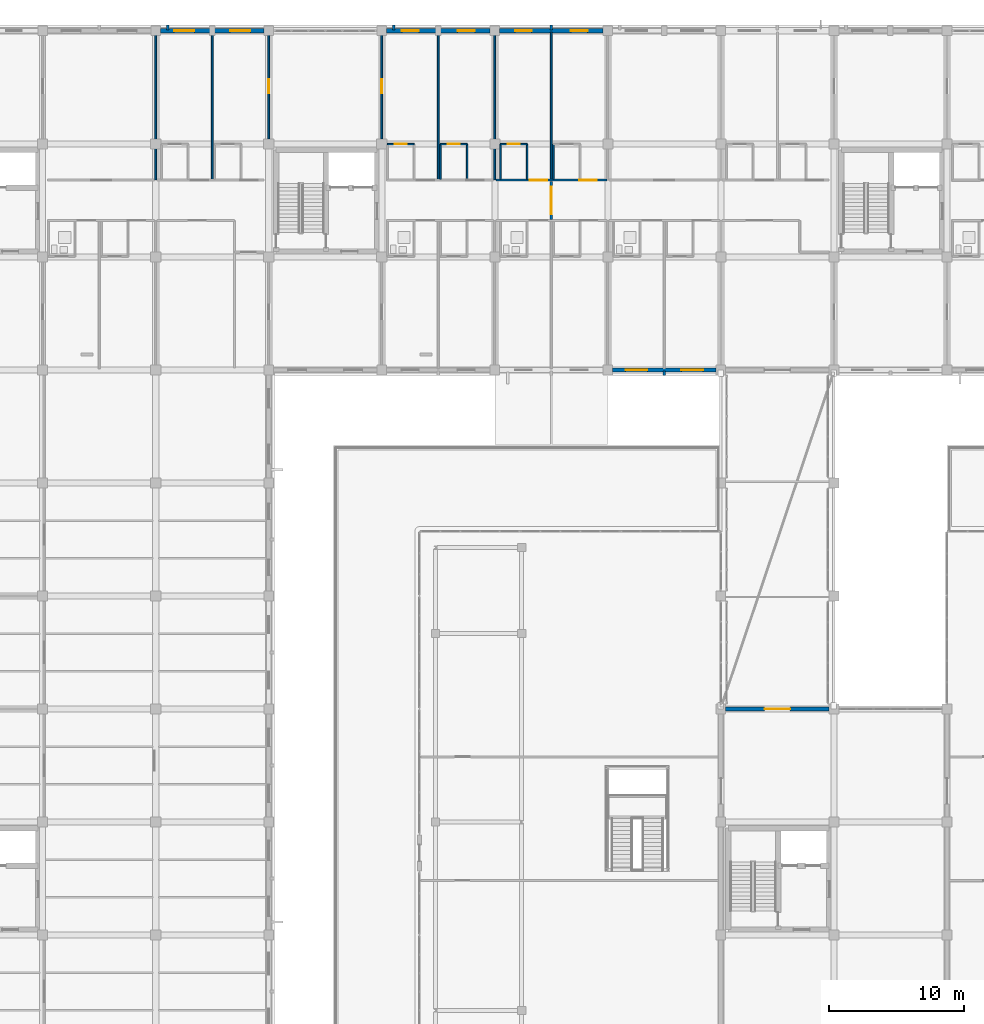
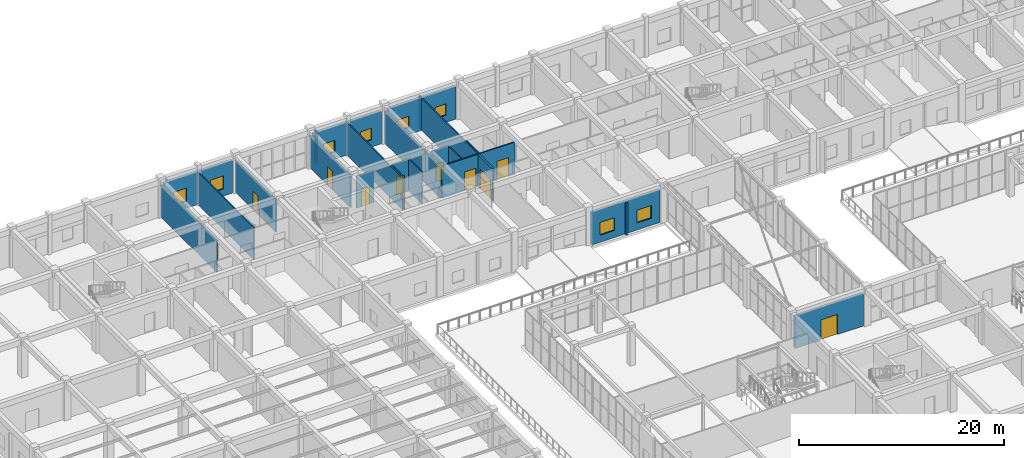
# One storey, part 129 of 158: 26 walls, 9 doors, 8 windows, 17 openings.
"""IFC4 building model written with IfcOpenShell, lengths in metres."""

from ifc_helpers import new_model, si_unit, direction, frame, frame_2d, origin, place, context, subcontext, project, spatial, rectangle, extrude, material, layer, layer_set, type_object, element, fill, save


model = new_model("IFC4")

# Units and contexts
model_context = context("Model", 3, precision=1e-05, world=origin(), true_north=direction((0.0, 1.0)))
body_context = subcontext(model_context, "Body", "Model", "MODEL_VIEW")
ifc_project = project(units=[si_unit("LENGTHUNIT", "METRE"), si_unit("AREAUNIT", "SQUARE_METRE"), si_unit("VOLUMEUNIT", "CUBIC_METRE"), si_unit("PLANEANGLEUNIT", "RADIAN"), si_unit("MASSUNIT", "GRAM", prefix="KILO")], contexts=[model_context])

# Site, building, storey
site_placement = place(None, origin())
site = spatial("IfcSite", under=ifc_project, at=site_placement, CompositionType="ELEMENT")
building_placement = place(site_placement, origin())
building = spatial("IfcBuilding", under=site, at=building_placement, Name="Trelvath General Hospital", CompositionType="ELEMENT")
storey_placement = place(building_placement, frame((0.0, 0.0, 8.10009765625)))
storey = spatial("IfcBuildingStorey", under=building, at=storey_placement, Name="L02", CompositionType="ELEMENT", Elevation=8.10009765625)

# Walls
ifc_material_1 = material(Name="Precast concrete C40/50", Category="concrete")
ifc_layer_1 = layer(ifc_material_1, 0.199951171875)
ifc_layer_set_1 = layer_set([ifc_layer_1], Name="Precast concrete C40/50")
wall_type_1 = type_object("IfcWallType", Name="BriseSoleilRib 200", PredefinedType="ELEMENTEDWALL", material=ifc_layer_set_1)
for number, where, z_axis, x_axis, name in (
    (1, (34.493408203125, 117.675048828125, 0.0), (0.0, 0.0, 1.0), (0.0, 1.0, 0.0), "Precast Concrete Brise-Soleil Rib Fin L02-186"),
    (2, (51.293212890625, 117.675048828125, 0.0), (0.0, 0.0, 1.0), (0.0, 1.0, 0.0), "Precast Concrete Brise-Soleil Rib Fin L02-190"),
    (3, (63.0, 117.675048828125, 0.0), (0.0, 0.0, 1.0), (0.0, 1.0, 0.0), "Precast Concrete Brise-Soleil Rib Fin L02-194"),
    (4, (71.39990234375, 92.324951171875, 0.0), (0.0, 0.0, 1.0), (0.0, -1.0, 0.0), "Precast Concrete Brise-Soleil Rib Fin L02-197"),
):
    element("IfcWall", number, at=place(storey_placement, frame(where, z_axis=z_axis, x_axis=x_axis)), inside=storey, type_object=wall_type_1, Name=name, PredefinedType="ELEMENTEDWALL", context=body_context, shape_type="SweptSolid", body=[
        extrude(rectangle(XDim=0.33984375, YDim=0.199951171875, at=frame_2d((0.169921875, 0.0))), origin(), (0.0, 0.0, 1.0), 3.83984375),
    ])

# Wall, openings, doors
ifc_material_2 = material(Name="Gypsum acoustic steel-stud partition", Category="steel")
ifc_layer_2 = layer(ifc_material_2, 0.14990234375)
ifc_layer_set_2 = layer_set([ifc_layer_2], Name="Gypsum acoustic steel-stud partition")
wall_type_2 = type_object("IfcWallType", Name="ClinicalPartition 150", PredefinedType="PARTITIONING", material=ifc_layer_set_2)
wall_1_placement = place(storey_placement, frame((67.1201171875, 106.5, 0.0), z_axis=(0.0, 0.0, 1.0), x_axis=(-1.0, 0.0, 0.0)))
wall_1 = element("IfcWall", 5, at=wall_1_placement, inside=storey, type_object=wall_type_2, Name="Corridor Partition N L02-912", PredefinedType="PARTITIONING", context=body_context, shape_type="SweptSolid", body=[
    extrude(rectangle(XDim=8.240234375, YDim=0.14990234375, at=frame_2d((4.1201171875, 0.0))), origin(), (0.0, 0.0, 1.0), 3.83984375),
])
opening_1_placement = place(wall_1_placement, frame((0.72998046875, 0.0, 0.0)))
opening_1 = element("IfcOpeningElement", 6, at=opening_1_placement, cuts=wall_1, Name="Opening D-2-0742", PredefinedType="OPENING", context=body_context, shape_type="SweptSolid", body=[
    extrude(rectangle(XDim=1.300048828125, YDim=2.25, at=frame_2d((0.64990234375, 1.125))), frame((0.0, 0.0849609375, 0.0), z_axis=(0.0, -1.0, 0.0), x_axis=(1.0, 0.0, 0.0)), (0.0, 0.0, 1.0), 0.169921875),
])
opening_2_placement = place(wall_1_placement, frame((4.429931640625, 0.0, 0.0)))
opening_2 = element("IfcOpeningElement", 7, at=opening_2_placement, cuts=wall_1, Name="Opening D-2-0743", PredefinedType="OPENING", context=body_context, shape_type="SweptSolid", body=[
    extrude(rectangle(XDim=1.300048828125, YDim=2.25, at=frame_2d((0.64990234375, 1.125))), frame((0.0, 0.0849609375, 0.0), z_axis=(0.0, -1.0, 0.0), x_axis=(1.0, 0.0, 0.0)), (0.0, 0.0, 1.0), 0.169921875),
])
ifc_material_3 = material(Name="Hospital bed-leaf timber door", Category="wood")
door_type_1 = type_object("IfcDoorType", Name="Door PatientBed 1300x2250", OperationType="NOTDEFINED", PredefinedType="DOOR", material=ifc_material_3)
door_1_placement = place(opening_1_placement, origin())
door_1 = element("IfcDoor", 8, at=door_1_placement, inside=storey, type_object=door_type_1, Name="Patient Room Door N L02-742", OperationType="SINGLE_SWING_RIGHT", OverallHeight=2.25, OverallWidth=1.300048828125, PredefinedType="DOOR", context=body_context, shape_type="SweptSolid", body=[
    extrude(rectangle(XDim=1.300048828125, YDim=2.25, at=frame_2d((0.64990234375, 1.125))), frame((0.0, 0.02490234375, 0.0), z_axis=(0.0, -1.0, 0.0), x_axis=(1.0, 0.0, 0.0)), (0.0, 0.0, 1.0), 0.050048828125),
])
fill(opening_1, door_1)
door_2_placement = place(opening_2_placement, origin())
door_2 = element("IfcDoor", 9, at=door_2_placement, inside=storey, type_object=door_type_1, Name="Patient Room Door N L02-743", OperationType="SINGLE_SWING_RIGHT", OverallHeight=2.25, OverallWidth=1.300048828125, PredefinedType="DOOR", context=body_context, shape_type="SweptSolid", body=[
    extrude(rectangle(XDim=1.300048828125, YDim=2.25, at=frame_2d((0.64990234375, 1.125))), frame((0.0, 0.02490234375, 0.0), z_axis=(0.0, -1.0, 0.0), x_axis=(1.0, 0.0, 0.0)), (0.0, 0.0, 1.0), 0.050048828125),
])
fill(opening_2, door_2)

# Wall, opening, door
ifc_material_4 = material(Name="Moisture-resistant tile partition")
ifc_layer_3 = layer(ifc_material_4, 0.110107421875)
ifc_layer_set_3 = layer_set([ifc_layer_3], Name="Moisture-resistant tile partition")
wall_type_3 = type_object("IfcWallType", Name="EnSuiteWetWall 110", PredefinedType="PARTITIONING", material=ifc_layer_set_3)
wall_2_placement = place(storey_placement, frame((50.820068359375, 109.179931640625, 0.0), z_axis=(0.0, 0.0, 1.0), x_axis=(1.0, 0.0, 0.0)))
wall_2 = element("IfcWall", 10, at=wall_2_placement, inside=storey, type_object=wall_type_3, Name="En-Suite Bathroom N Partition L02-898", PredefinedType="PARTITIONING", context=body_context, shape_type="SweptSolid", body=[
    extrude(rectangle(XDim=1.97998046875, YDim=0.110107421875, at=frame_2d((0.989990234375, 0.0))), origin(), (0.0, 0.0, 1.0), 3.83984375),
])
opening_3_placement = place(wall_2_placement, frame((0.5400390625, 0.0, 0.0)))
opening_3 = element("IfcOpeningElement", 11, at=opening_3_placement, cuts=wall_2, Name="Opening D-2-0736", PredefinedType="OPENING", context=body_context, shape_type="SweptSolid", body=[
    extrude(rectangle(XDim=0.89990234375, YDim=2.10009765625, at=frame_2d((0.449951171875, 1.050048828125))), frame((0.0, 0.06494140625, 0.0), z_axis=(0.0, -1.0, 0.0), x_axis=(1.0, 0.0, 0.0)), (0.0, 0.0, 1.0), 0.130126953125),
])
ifc_material_5 = material(Name="Moisture-sealed timber leaf", Category="wood")
door_type_2 = type_object("IfcDoorType", Name="Door EnSuite 900x2100", OperationType="NOTDEFINED", PredefinedType="DOOR", material=ifc_material_5)
door_3_placement = place(opening_3_placement, origin())
door_3 = element("IfcDoor", 12, at=door_3_placement, inside=storey, type_object=door_type_2, Name="En-Suite Bathroom N Door L02-736", OperationType="SINGLE_SWING_RIGHT", OverallHeight=2.10009765625, OverallWidth=0.89990234375, PredefinedType="DOOR", context=body_context, shape_type="SweptSolid", body=[
    extrude(rectangle(XDim=0.89990234375, YDim=2.10009765625, at=frame_2d((0.449951171875, 1.050048828125))), frame((0.0, 0.02490234375, 0.0), z_axis=(0.0, -1.0, 0.0), x_axis=(1.0, 0.0, 0.0)), (0.0, 0.0, 1.0), 0.050048828125),
])
fill(opening_3, door_3)

# Walls
for number, where, z_axis, x_axis, name in (
    (13, (54.760009765625, 106.570068359375, 0.0), (0.0, 0.0, 1.0), (0.0, 1.0, 0.0), "En-Suite W Wall N L02-899"),
    (14, (56.739990234375, 106.570068359375, 0.0), (0.0, 0.0, 1.0), (0.0, 1.0, 0.0), "En-Suite E Wall N L02-900"),
):
    element("IfcWall", number, at=place(storey_placement, frame(where, z_axis=z_axis, x_axis=x_axis)), inside=storey, type_object=wall_type_3, Name=name, PredefinedType="PARTITIONING", context=body_context, shape_type="SweptSolid", body=[
        extrude(rectangle(XDim=2.60986328125, YDim=0.110107421875, at=frame_2d((1.304931640625, 0.0))), origin(), (0.0, 0.0, 1.0), 3.83984375),
    ])

# Wall, opening, door
wall_3_placement = place(storey_placement, frame((54.760009765625, 109.179931640625, 0.0), z_axis=(0.0, 0.0, 1.0), x_axis=(1.0, 0.0, 0.0)))
wall_3 = element("IfcWall", 15, at=wall_3_placement, inside=storey, type_object=wall_type_3, Name="En-Suite Bathroom N Partition L02-901", PredefinedType="PARTITIONING", context=body_context, shape_type="SweptSolid", body=[
    extrude(rectangle(XDim=1.97998046875, YDim=0.110107421875, at=frame_2d((0.989990234375, 0.0))), origin(), (0.0, 0.0, 1.0), 3.83984375),
])
opening_4_placement = place(wall_3_placement, frame((0.5400390625, 0.0, 0.0)))
opening_4 = element("IfcOpeningElement", 16, at=opening_4_placement, cuts=wall_3, Name="Opening D-2-0737", PredefinedType="OPENING", context=body_context, shape_type="SweptSolid", body=[
    extrude(rectangle(XDim=0.89990234375, YDim=2.10009765625, at=frame_2d((0.449951171875, 1.050048828125))), frame((0.0, 0.06494140625, 0.0), z_axis=(0.0, -1.0, 0.0), x_axis=(1.0, 0.0, 0.0)), (0.0, 0.0, 1.0), 0.130126953125),
])
door_4_placement = place(opening_4_placement, origin())
door_4 = element("IfcDoor", 17, at=door_4_placement, inside=storey, type_object=door_type_2, Name="En-Suite Bathroom N Door L02-737", OperationType="SINGLE_SWING_LEFT", OverallHeight=2.10009765625, OverallWidth=0.89990234375, PredefinedType="DOOR", context=body_context, shape_type="SweptSolid", body=[
    extrude(rectangle(XDim=0.89990234375, YDim=2.10009765625, at=frame_2d((0.449951171875, 1.050048828125))), frame((0.0, 0.02490234375, 0.0), z_axis=(0.0, -1.0, 0.0), x_axis=(1.0, 0.0, 0.0)), (0.0, 0.0, 1.0), 0.050048828125),
])
fill(opening_4, door_4)

# Walls
for number, where, z_axis, x_axis, name in (
    (18, (59.219970703125, 106.570068359375, 0.0), (0.0, 0.0, 1.0), (0.0, 1.0, 0.0), "En-Suite W Wall N L02-914"),
    (19, (61.199951171875, 106.570068359375, 0.0), (0.0, 0.0, 1.0), (0.0, 1.0, 0.0), "En-Suite E Wall N L02-915"),
):
    element("IfcWall", number, at=place(storey_placement, frame(where, z_axis=z_axis, x_axis=x_axis)), inside=storey, type_object=wall_type_3, Name=name, PredefinedType="PARTITIONING", context=body_context, shape_type="SweptSolid", body=[
        extrude(rectangle(XDim=2.60986328125, YDim=0.110107421875, at=frame_2d((1.304931640625, 0.0))), origin(), (0.0, 0.0, 1.0), 3.83984375),
    ])

# Wall, opening, door
wall_4_placement = place(storey_placement, frame((59.219970703125, 109.179931640625, 0.0), z_axis=(0.0, 0.0, 1.0), x_axis=(1.0, 0.0, 0.0)))
wall_4 = element("IfcWall", 20, at=wall_4_placement, inside=storey, type_object=wall_type_3, Name="En-Suite Bathroom N Partition L02-916", PredefinedType="PARTITIONING", context=body_context, shape_type="SweptSolid", body=[
    extrude(rectangle(XDim=1.97998046875, YDim=0.110107421875, at=frame_2d((0.989990234375, 0.0))), origin(), (0.0, 0.0, 1.0), 3.83984375),
])
opening_5_placement = place(wall_4_placement, frame((0.5400390625, 0.0, 0.0)))
opening_5 = element("IfcOpeningElement", 21, at=opening_5_placement, cuts=wall_4, Name="Opening D-2-0744", PredefinedType="OPENING", context=body_context, shape_type="SweptSolid", body=[
    extrude(rectangle(XDim=0.89990234375, YDim=2.10009765625, at=frame_2d((0.449951171875, 1.050048828125))), frame((0.0, 0.06494140625, 0.0), z_axis=(0.0, -1.0, 0.0), x_axis=(1.0, 0.0, 0.0)), (0.0, 0.0, 1.0), 0.130126953125),
])
door_5_placement = place(opening_5_placement, origin())
door_5 = element("IfcDoor", 22, at=door_5_placement, inside=storey, type_object=door_type_2, Name="En-Suite Bathroom N Door L02-744", OperationType="SINGLE_SWING_LEFT", OverallHeight=2.10009765625, OverallWidth=0.89990234375, PredefinedType="DOOR", context=body_context, shape_type="SweptSolid", body=[
    extrude(rectangle(XDim=0.89990234375, YDim=2.10009765625, at=frame_2d((0.449951171875, 1.050048828125))), frame((0.0, 0.02490234375, 0.0), z_axis=(0.0, -1.0, 0.0), x_axis=(1.0, 0.0, 0.0)), (0.0, 0.0, 1.0), 0.050048828125),
])
fill(opening_5, door_5)

# Wall
wall_5_placement = place(storey_placement, frame((63.159912109375, 106.570068359375, 0.0), z_axis=(0.0, 0.0, 1.0), x_axis=(0.0, 1.0, 0.0)))
element("IfcWall", 23, at=wall_5_placement, inside=storey, type_object=wall_type_3, Name="En-Suite W Wall N L02-917", PredefinedType="PARTITIONING", context=body_context, shape_type="SweptSolid", body=[
    extrude(rectangle(XDim=2.60986328125, YDim=0.110107421875, at=frame_2d((1.304931640625, 0.0))), origin(), (0.0, 0.0, 1.0), 3.83984375),
])

# Wall, opening, door
ifc_material_6 = material(Name="Concrete C35/45", Category="concrete")
ifc_layer_4 = layer(ifc_material_6, 0.2900390625)
ifc_layer_set_4 = layer_set([ifc_layer_4], Name="Concrete C35/45")
wall_type_4 = type_object("IfcWallType", Name="ExtBushHammeredWall 290", PredefinedType="SOLIDWALL", material=ifc_layer_set_4)
wall_6_placement = place(storey_placement, frame((75.955078125, 67.199951171875, 0.0), z_axis=(0.0, 0.0, 1.0), x_axis=(1.0, 0.0, 0.0)))
wall_6 = element("IfcWall", 24, at=wall_6_placement, inside=storey, type_object=wall_type_4, Name="Bridge Portal Wall BRG-N-C L02", PredefinedType="SOLIDWALL", context=body_context, shape_type="SweptSolid", body=[
    extrude(rectangle(XDim=7.68994140625, YDim=0.2900390625, at=frame_2d((3.844970703125, 0.0))), origin(), (0.0, 0.0, 1.0), 3.85986328125),
])
opening_6_placement = place(wall_6_placement, frame((2.89501953125, 0.0, 0.0)))
opening_6 = element("IfcOpeningElement", 25, at=opening_6_placement, cuts=wall_6, Name="Opening BP-2-044", PredefinedType="OPENING", context=body_context, shape_type="SweptSolid", body=[
    extrude(rectangle(XDim=1.89990234375, YDim=2.39990234375, at=frame_2d((0.949951171875, 1.199951171875))), frame((0.0, 0.155029296875, 0.0), z_axis=(0.0, -1.0, 0.0), x_axis=(1.0, 0.0, 0.0)), (0.0, 0.0, 1.0), 0.31005859375),
])
ifc_material_7 = material(Name="Thermally broken glazed aluminium pair", Category="aluminium")
door_type_3 = type_object("IfcDoorType", Name="Door BridgeEntry 1900x2400", OperationType="DOUBLE_SWING_LEFT", PredefinedType="DOOR", material=ifc_material_7)
door_6_placement = place(opening_6_placement, origin())
door_6 = element("IfcDoor", 26, at=door_6_placement, inside=storey, type_object=door_type_3, Name="Glazed Bridge Portal Door BRG-N-C L02", OperationType="DOUBLE_SWING_LEFT", OverallHeight=2.39990234375, OverallWidth=1.89990234375, PredefinedType="DOOR", context=body_context, shape_type="SweptSolid", body=[
    extrude(rectangle(XDim=1.89990234375, YDim=2.39990234375, at=frame_2d((0.949951171875, 1.199951171875))), frame((0.0, 0.02490234375, 0.0), z_axis=(0.0, -1.0, 0.0), x_axis=(1.0, 0.0, 0.0)), (0.0, 0.0, 1.0), 0.050048828125),
])
fill(opening_6, door_6)

# Wall, openings, windows
ifc_material_8 = material(Name="Concrete C35/45", Category="concrete")
ifc_layer_5 = layer(ifc_material_8, 0.320068359375)
ifc_layer_set_5 = layer_set([ifc_layer_5], Name="Concrete C35/45")
wall_type_5 = type_object("IfcWallType", Name="ExtThermalWall 320", PredefinedType="SOLIDWALL", material=ifc_layer_set_5)
wall_7_placement = place(storey_placement, frame((33.955078125, 117.60009765625, 0.0), z_axis=(0.0, 0.0, 1.0), x_axis=(1.0, 0.0, 0.0)))
wall_7 = element("IfcWall", 27, at=wall_7_placement, inside=storey, type_object=wall_type_5, Name="Exterior Concrete Wall L02-251", PredefinedType="SOLIDWALL", context=body_context, shape_type="SweptSolid", body=[
    extrude(rectangle(XDim=7.68994140625, YDim=0.320068359375, at=frame_2d((3.844970703125, 0.0))), origin(), (0.0, 0.0, 1.0), 3.85986328125),
])
opening_7_placement = place(wall_7_placement, frame((1.018798828125, 0.0, 0.85009765625)))
opening_7 = element("IfcOpeningElement", 28, at=opening_7_placement, cuts=wall_7, Name="Opening WN-2-399", PredefinedType="OPENING", context=body_context, shape_type="SweptSolid", body=[
    extrude(rectangle(XDim=1.5, YDim=1.550048828125, at=frame_2d((0.75, 0.77490234375))), frame((0.0, 0.169921875, 0.0), z_axis=(0.0, -1.0, 0.0), x_axis=(1.0, 0.0, 0.0)), (0.0, 0.0, 1.0), 0.340087890625),
])
opening_8_placement = place(wall_7_placement, frame((5.17138671875, 0.0, 0.85009765625)))
opening_8 = element("IfcOpeningElement", 29, at=opening_8_placement, cuts=wall_7, Name="Opening WN-2-400", PredefinedType="OPENING", context=body_context, shape_type="SweptSolid", body=[
    extrude(rectangle(XDim=1.5, YDim=1.550048828125, at=frame_2d((0.75, 0.77490234375))), frame((0.0, 0.169921875, 0.0), z_axis=(0.0, -1.0, 0.0), x_axis=(1.0, 0.0, 0.0)), (0.0, 0.0, 1.0), 0.340087890625),
])
ifc_material_9 = material(Name="Low-E laminated glass", Category="glass")
window_type_1 = type_object("IfcWindowType", Name="Window Ortho 1500x1550", PartitioningType="DOUBLE_PANEL_VERTICAL", PredefinedType="WINDOW", material=ifc_material_9)
window_1_placement = place(opening_7_placement, origin())
window_1 = element("IfcWindow", 30, at=window_1_placement, inside=storey, type_object=window_type_1, Name="Solar Reveal Window L02-399", OverallHeight=1.550048828125, OverallWidth=1.5, PartitioningType="SINGLE_PANEL", PredefinedType="WINDOW", context=body_context, shape_type="SweptSolid", body=[
    extrude(rectangle(XDim=1.5, YDim=1.550048828125, at=frame_2d((0.75, 0.77490234375))), frame((0.0, 0.030029296875, 0.0), z_axis=(0.0, -1.0, 0.0), x_axis=(1.0, 0.0, 0.0)), (0.0, 0.0, 1.0), 0.06005859375),
])
fill(opening_7, window_1)
window_2_placement = place(opening_8_placement, origin())
window_2 = element("IfcWindow", 31, at=window_2_placement, inside=storey, type_object=window_type_1, Name="Solar Reveal Window L02-400", OverallHeight=1.550048828125, OverallWidth=1.5, PartitioningType="SINGLE_PANEL", PredefinedType="WINDOW", context=body_context, shape_type="SweptSolid", body=[
    extrude(rectangle(XDim=1.5, YDim=1.550048828125, at=frame_2d((0.75, 0.77490234375))), frame((0.0, 0.030029296875, 0.0), z_axis=(0.0, -1.0, 0.0), x_axis=(1.0, 0.0, 0.0)), (0.0, 0.0, 1.0), 0.06005859375),
])
fill(opening_8, window_2)

wall_8_placement = place(storey_placement, frame((50.7548828125, 117.60009765625, 0.0), z_axis=(0.0, 0.0, 1.0), x_axis=(1.0, 0.0, 0.0)))
wall_8 = element("IfcWall", 32, at=wall_8_placement, inside=storey, type_object=wall_type_5, Name="Exterior Concrete Wall L02-257", PredefinedType="SOLIDWALL", context=body_context, shape_type="SweptSolid", body=[
    extrude(rectangle(XDim=7.690185546875, YDim=0.320068359375, at=frame_2d((3.84521484375, 0.0))), origin(), (0.0, 0.0, 1.0), 3.85986328125),
])
opening_9_placement = place(wall_8_placement, frame((1.128662109375, 0.0, 0.85009765625)))
opening_9 = element("IfcOpeningElement", 33, at=opening_9_placement, cuts=wall_8, Name="Opening WN-2-411", PredefinedType="OPENING", context=body_context, shape_type="SweptSolid", body=[
    extrude(rectangle(XDim=1.280029296875, YDim=1.3798828125, at=frame_2d((0.64013671875, 0.68994140625))), frame((0.0, 0.169921875, 0.0), z_axis=(0.0, -1.0, 0.0), x_axis=(1.0, 0.0, 0.0)), (0.0, 0.0, 1.0), 0.340087890625),
])
opening_10_placement = place(wall_8_placement, frame((5.28125, 0.0, 0.85009765625)))
opening_10 = element("IfcOpeningElement", 34, at=opening_10_placement, cuts=wall_8, Name="Opening WN-2-412", PredefinedType="OPENING", context=body_context, shape_type="SweptSolid", body=[
    extrude(rectangle(XDim=1.280029296875, YDim=1.3798828125, at=frame_2d((0.64013671875, 0.68994140625))), frame((0.0, 0.169921875, 0.0), z_axis=(0.0, -1.0, 0.0), x_axis=(1.0, 0.0, 0.0)), (0.0, 0.0, 1.0), 0.340087890625),
])
ifc_material_10 = material(Name="Low-E laminated glass", Category="glass")
window_type_2 = type_object("IfcWindowType", Name="Window Telemetry 1280x1380", PartitioningType="DOUBLE_PANEL_VERTICAL", PredefinedType="WINDOW", material=ifc_material_10)
window_3_placement = place(opening_9_placement, origin())
window_3 = element("IfcWindow", 35, at=window_3_placement, inside=storey, type_object=window_type_2, Name="Solar Reveal Window L02-411", OverallHeight=1.3798828125, OverallWidth=1.280029296875, PartitioningType="SINGLE_PANEL", PredefinedType="WINDOW", context=body_context, shape_type="SweptSolid", body=[
    extrude(rectangle(XDim=1.280029296875, YDim=1.3798828125, at=frame_2d((0.64013671875, 0.68994140625))), frame((0.0, 0.030029296875, 0.0), z_axis=(0.0, -1.0, 0.0), x_axis=(1.0, 0.0, 0.0)), (0.0, 0.0, 1.0), 0.06005859375),
])
fill(opening_9, window_3)
window_4_placement = place(opening_10_placement, origin())
window_4 = element("IfcWindow", 36, at=window_4_placement, inside=storey, type_object=window_type_2, Name="Solar Reveal Window L02-412", OverallHeight=1.3798828125, OverallWidth=1.280029296875, PartitioningType="SINGLE_PANEL", PredefinedType="WINDOW", context=body_context, shape_type="SweptSolid", body=[
    extrude(rectangle(XDim=1.280029296875, YDim=1.3798828125, at=frame_2d((0.64013671875, 0.68994140625))), frame((0.0, 0.030029296875, 0.0), z_axis=(0.0, -1.0, 0.0), x_axis=(1.0, 0.0, 0.0)), (0.0, 0.0, 1.0), 0.06005859375),
])
fill(opening_10, window_4)

wall_9_placement = place(storey_placement, frame((59.155029296875, 117.60009765625, 0.0), z_axis=(0.0, 0.0, 1.0), x_axis=(1.0, 0.0, 0.0)))
wall_9 = element("IfcWall", 37, at=wall_9_placement, inside=storey, type_object=wall_type_5, Name="Exterior Concrete Wall L02-261", PredefinedType="SOLIDWALL", context=body_context, shape_type="SweptSolid", body=[
    extrude(rectangle(XDim=7.68994140625, YDim=0.320068359375, at=frame_2d((3.844970703125, 0.0))), origin(), (0.0, 0.0, 1.0), 3.85986328125),
])
opening_11_placement = place(wall_9_placement, frame((1.148681640625, 0.0, 0.85009765625)))
opening_11 = element("IfcOpeningElement", 38, at=opening_11_placement, cuts=wall_9, Name="Opening WN-2-419", PredefinedType="OPENING", context=body_context, shape_type="SweptSolid", body=[
    extrude(rectangle(XDim=1.239990234375, YDim=1.340087890625, at=frame_2d((0.6201171875, 0.669921875))), frame((0.0, 0.169921875, 0.0), z_axis=(0.0, -1.0, 0.0), x_axis=(1.0, 0.0, 0.0)), (0.0, 0.0, 1.0), 0.340087890625),
])
opening_12_placement = place(wall_9_placement, frame((5.30126953125, 0.0, 0.85009765625)))
opening_12 = element("IfcOpeningElement", 39, at=opening_12_placement, cuts=wall_9, Name="Opening WN-2-420", PredefinedType="OPENING", context=body_context, shape_type="SweptSolid", body=[
    extrude(rectangle(XDim=1.239990234375, YDim=1.340087890625, at=frame_2d((0.6201171875, 0.669921875))), frame((0.0, 0.169921875, 0.0), z_axis=(0.0, -1.0, 0.0), x_axis=(1.0, 0.0, 0.0)), (0.0, 0.0, 1.0), 0.340087890625),
])
ifc_material_11 = material(Name="Low-E laminated glass", Category="glass")
window_type_3 = type_object("IfcWindowType", Name="Window Pharmacy 1240x1340", PartitioningType="DOUBLE_PANEL_VERTICAL", PredefinedType="WINDOW", material=ifc_material_11)
window_5_placement = place(opening_11_placement, origin())
window_5 = element("IfcWindow", 40, at=window_5_placement, inside=storey, type_object=window_type_3, Name="Solar Reveal Window L02-419", OverallHeight=1.340087890625, OverallWidth=1.239990234375, PartitioningType="SINGLE_PANEL", PredefinedType="WINDOW", context=body_context, shape_type="SweptSolid", body=[
    extrude(rectangle(XDim=1.239990234375, YDim=1.340087890625, at=frame_2d((0.6201171875, 0.669921875))), frame((0.0, 0.030029296875, 0.0), z_axis=(0.0, -1.0, 0.0), x_axis=(1.0, 0.0, 0.0)), (0.0, 0.0, 1.0), 0.06005859375),
])
fill(opening_11, window_5)
window_6_placement = place(opening_12_placement, origin())
window_6 = element("IfcWindow", 41, at=window_6_placement, inside=storey, type_object=window_type_3, Name="Solar Reveal Window L02-420", OverallHeight=1.340087890625, OverallWidth=1.239990234375, PartitioningType="SINGLE_PANEL", PredefinedType="WINDOW", context=body_context, shape_type="SweptSolid", body=[
    extrude(rectangle(XDim=1.239990234375, YDim=1.340087890625, at=frame_2d((0.6201171875, 0.669921875))), frame((0.0, 0.030029296875, 0.0), z_axis=(0.0, -1.0, 0.0), x_axis=(1.0, 0.0, 0.0)), (0.0, 0.0, 1.0), 0.06005859375),
])
fill(opening_12, window_6)

wall_10_placement = place(storey_placement, frame((75.2451171875, 92.39990234375, 0.0), z_axis=(0.0, 0.0, 1.0), x_axis=(-1.0, 0.0, 0.0)))
wall_10 = element("IfcWall", 42, at=wall_10_placement, inside=storey, type_object=wall_type_5, Name="Exterior Concrete Wall L02-264", PredefinedType="SOLIDWALL", context=body_context, shape_type="SweptSolid", body=[
    extrude(rectangle(XDim=7.690185546875, YDim=0.320068359375, at=frame_2d((3.84521484375, 0.0))), origin(), (0.0, 0.0, 1.0), 3.85986328125),
])
opening_13_placement = place(wall_10_placement, frame((0.958740234375, 0.0, 0.85009765625)))
opening_13 = element("IfcOpeningElement", 43, at=opening_13_placement, cuts=wall_10, Name="Opening WN-2-425", PredefinedType="OPENING", context=body_context, shape_type="SweptSolid", body=[
    extrude(rectangle(XDim=1.6201171875, YDim=1.52001953125, at=frame_2d((0.81005859375, 0.760009765625))), frame((0.0, 0.169921875, 0.0), z_axis=(0.0, -1.0, 0.0), x_axis=(1.0, 0.0, 0.0)), (0.0, 0.0, 1.0), 0.340087890625),
])
opening_14_placement = place(wall_10_placement, frame((5.111328125, 0.0, 0.85009765625)))
opening_14 = element("IfcOpeningElement", 44, at=opening_14_placement, cuts=wall_10, Name="Opening WN-2-426", PredefinedType="OPENING", context=body_context, shape_type="SweptSolid", body=[
    extrude(rectangle(XDim=1.6201171875, YDim=1.52001953125, at=frame_2d((0.81005859375, 0.760009765625))), frame((0.0, 0.169921875, 0.0), z_axis=(0.0, -1.0, 0.0), x_axis=(1.0, 0.0, 0.0)), (0.0, 0.0, 1.0), 0.340087890625),
])
ifc_material_12 = material(Name="Low-E laminated glass", Category="glass")
window_type_4 = type_object("IfcWindowType", Name="Window Triage 1620x1520", PartitioningType="DOUBLE_PANEL_VERTICAL", PredefinedType="WINDOW", material=ifc_material_12)
window_7_placement = place(opening_13_placement, origin())
window_7 = element("IfcWindow", 45, at=window_7_placement, inside=storey, type_object=window_type_4, Name="Solar Reveal Window L02-425", OverallHeight=1.52001953125, OverallWidth=1.6201171875, PartitioningType="SINGLE_PANEL", PredefinedType="WINDOW", context=body_context, shape_type="SweptSolid", body=[
    extrude(rectangle(XDim=1.6201171875, YDim=1.52001953125, at=frame_2d((0.81005859375, 0.760009765625))), frame((0.0, 0.030029296875, 0.0), z_axis=(0.0, -1.0, 0.0), x_axis=(1.0, 0.0, 0.0)), (0.0, 0.0, 1.0), 0.06005859375),
])
fill(opening_13, window_7)
window_8_placement = place(opening_14_placement, origin())
window_8 = element("IfcWindow", 46, at=window_8_placement, inside=storey, type_object=window_type_4, Name="Solar Reveal Window L02-426", OverallHeight=1.52001953125, OverallWidth=1.6201171875, PartitioningType="SINGLE_PANEL", PredefinedType="WINDOW", context=body_context, shape_type="SweptSolid", body=[
    extrude(rectangle(XDim=1.6201171875, YDim=1.52001953125, at=frame_2d((0.81005859375, 0.760009765625))), frame((0.0, 0.030029296875, 0.0), z_axis=(0.0, -1.0, 0.0), x_axis=(1.0, 0.0, 0.0)), (0.0, 0.0, 1.0), 0.06005859375),
])
fill(opening_14, window_8)

# Wall, opening, door
ifc_material_13 = material(Name="Masonry fire blockwork", Category="masonry")
ifc_layer_6 = layer(ifc_material_13, 0.179931640625)
ifc_layer_set_6 = layer_set([ifc_layer_6], Name="Masonry fire blockwork")
wall_type_6 = type_object("IfcWallType", Name="SmokeBarrierWall 180", PredefinedType="PARTITIONING", material=ifc_layer_set_6)
wall_11_placement = place(storey_placement, frame((63.0, 103.580078125, 0.0), z_axis=(0.0, 0.0, 1.0), x_axis=(0.0, 1.0, 0.0)))
wall_11 = element("IfcWall", 47, at=wall_11_placement, inside=storey, type_object=wall_type_6, Name="Smoke Compartment Barrier L02-920", PredefinedType="PARTITIONING", context=body_context, shape_type="SweptSolid", body=[
    extrude(rectangle(XDim=2.83984375, YDim=0.179931640625, at=frame_2d((1.419921875, 0.0))), origin(), (0.0, 0.0, 1.0), 3.83984375),
])
opening_15_placement = place(wall_11_placement, frame((0.39501953125, 0.0, 0.0)))
opening_15 = element("IfcOpeningElement", 48, at=opening_15_placement, cuts=wall_11, Name="Opening SD-2-0746", PredefinedType="OPENING", context=body_context, shape_type="SweptSolid", body=[
    extrude(rectangle(XDim=2.050048828125, YDim=2.35009765625, at=frame_2d((1.02490234375, 1.175048828125))), frame((0.0, 0.099853515625, 0.0), z_axis=(0.0, -1.0, 0.0), x_axis=(1.0, 0.0, 0.0)), (0.0, 0.0, 1.0), 0.199951171875),
])
ifc_material_14 = material(Name="Fire-rated steel cross-corridor pair", Category="steel")
door_type_4 = type_object("IfcDoorType", Name="Door SmokeCross 2050x2350", OperationType="DOUBLE_SWING_LEFT", PredefinedType="DOOR", material=ifc_material_14)
door_7_placement = place(opening_15_placement, origin())
door_7 = element("IfcDoor", 49, at=door_7_placement, inside=storey, type_object=door_type_4, Name="Cross-Corridor Smoke Door L02-746", OperationType="SLIDING_TO_LEFT", OverallHeight=2.35009765625, OverallWidth=2.050048828125, PredefinedType="DOOR", context=body_context, shape_type="SweptSolid", body=[
    extrude(rectangle(XDim=2.050048828125, YDim=2.35009765625, at=frame_2d((1.02490234375, 1.175048828125))), frame((0.0, 0.02490234375, 0.0), z_axis=(0.0, -1.0, 0.0), x_axis=(1.0, 0.0, 0.0)), (0.0, 0.0, 1.0), 0.050048828125),
])
fill(opening_15, door_7)

# Walls
ifc_material_15 = material(Name="Gypsum acoustic steel-stud partition", Category="steel")
ifc_layer_7 = layer(ifc_material_15, 0.1298828125)
ifc_layer_set_7 = layer_set([ifc_layer_7], Name="Gypsum acoustic steel-stud partition")
wall_type_7 = type_object("IfcWallType", Name="WardPartition 130", PredefinedType="PARTITIONING", material=ifc_layer_set_7)
wall_12_placement = place(storey_placement, frame((33.60009765625, 106.52001953125, 0.0), z_axis=(0.0, 0.0, 1.0), x_axis=(0.0, 1.0, 0.0)))
element("IfcWall", 50, at=wall_12_placement, inside=storey, type_object=wall_type_7, Name="Inter-Bay Ward Partition N L02-869", PredefinedType="PARTITIONING", context=body_context, shape_type="SweptSolid", body=[
    extrude(rectangle(XDim=10.93994140625, YDim=0.1298828125, at=frame_2d((5.469970703125, 0.0))), origin(), (0.0, 0.0, 1.0), 3.83984375),
])
wall_13_placement = place(storey_placement, frame((37.800048828125, 106.570068359375, 0.0), z_axis=(0.0, 0.0, 1.0), x_axis=(0.0, 1.0, 0.0)))
element("IfcWall", 51, at=wall_13_placement, inside=storey, type_object=wall_type_7, Name="Room Dividing Partition N L02-874", PredefinedType="PARTITIONING", context=body_context, shape_type="SweptSolid", body=[
    extrude(rectangle(XDim=10.929931640625, YDim=0.1298828125, at=frame_2d((5.46484375, 0.0))), origin(), (0.0, 0.0, 1.0), 3.83984375),
])

# Wall, opening, door
wall_14_placement = place(storey_placement, frame((42.0, 109.550048828125, 0.0), z_axis=(0.0, 0.0, 1.0), x_axis=(0.0, 1.0, 0.0)))
wall_14 = element("IfcWall", 52, at=wall_14_placement, inside=storey, type_object=wall_type_7, Name="Inter-Bay Ward Partition N L02-882", PredefinedType="PARTITIONING", context=body_context, shape_type="SweptSolid", body=[
    extrude(rectangle(XDim=7.909912109375, YDim=0.1298828125, at=frame_2d((3.955078125, 0.0))), origin(), (0.0, 0.0, 1.0), 3.83984375),
])
opening_16_placement = place(wall_14_placement, frame((3.39990234375, 0.0, 0.0)))
opening_16 = element("IfcOpeningElement", 53, at=opening_16_placement, cuts=wall_14, Name="Opening D-2-0727", PredefinedType="OPENING", context=body_context, shape_type="SweptSolid", body=[
    extrude(rectangle(XDim=1.050048828125, YDim=2.199951171875, at=frame_2d((0.52490234375, 1.10009765625))), frame((0.0, 0.074951171875, 0.0), z_axis=(0.0, -1.0, 0.0), x_axis=(1.0, 0.0, 0.0)), (0.0, 0.0, 1.0), 0.14990234375),
])
ifc_material_16 = material(Name="Acoustic hospital timber leaf", Category="wood")
door_type_5 = type_object("IfcDoorType", Name="Door Consult 1050x2200", OperationType="NOTDEFINED", PredefinedType="DOOR", material=ifc_material_16)
door_8_placement = place(opening_16_placement, origin())
door_8 = element("IfcDoor", 54, at=door_8_placement, inside=storey, type_object=door_type_5, Name="Consultation Connecting Door L02-727", OperationType="SINGLE_SWING_RIGHT", OverallHeight=2.199951171875, OverallWidth=1.050048828125, PredefinedType="DOOR", context=body_context, shape_type="SweptSolid", body=[
    extrude(rectangle(XDim=1.050048828125, YDim=2.199951171875, at=frame_2d((0.52490234375, 1.10009765625))), frame((0.0, 0.02490234375, 0.0), z_axis=(0.0, -1.0, 0.0), x_axis=(1.0, 0.0, 0.0)), (0.0, 0.0, 1.0), 0.050048828125),
])
fill(opening_16, door_8)

wall_15_placement = place(storey_placement, frame((50.39990234375, 109.550048828125, 0.0), z_axis=(0.0, 0.0, 1.0), x_axis=(0.0, 1.0, 0.0)))
wall_15 = element("IfcWall", 55, at=wall_15_placement, inside=storey, type_object=wall_type_7, Name="Inter-Bay Ward Partition N L02-884", PredefinedType="PARTITIONING", context=body_context, shape_type="SweptSolid", body=[
    extrude(rectangle(XDim=7.909912109375, YDim=0.1298828125, at=frame_2d((3.955078125, 0.0))), origin(), (0.0, 0.0, 1.0), 3.83984375),
])
opening_17_placement = place(wall_15_placement, frame((3.39990234375, 0.0, 0.0)))
opening_17 = element("IfcOpeningElement", 56, at=opening_17_placement, cuts=wall_15, Name="Opening D-2-0729", PredefinedType="OPENING", context=body_context, shape_type="SweptSolid", body=[
    extrude(rectangle(XDim=1.050048828125, YDim=2.199951171875, at=frame_2d((0.52490234375, 1.10009765625))), frame((0.0, 0.074951171875, 0.0), z_axis=(0.0, -1.0, 0.0), x_axis=(1.0, 0.0, 0.0)), (0.0, 0.0, 1.0), 0.14990234375),
])
door_9_placement = place(opening_17_placement, origin())
door_9 = element("IfcDoor", 57, at=door_9_placement, inside=storey, type_object=door_type_5, Name="Consultation Connecting Door L02-729", OperationType="SINGLE_SWING_RIGHT", OverallHeight=2.199951171875, OverallWidth=1.050048828125, PredefinedType="DOOR", context=body_context, shape_type="SweptSolid", body=[
    extrude(rectangle(XDim=1.050048828125, YDim=2.199951171875, at=frame_2d((0.52490234375, 1.10009765625))), frame((0.0, 0.02490234375, 0.0), z_axis=(0.0, -1.0, 0.0), x_axis=(1.0, 0.0, 0.0)), (0.0, 0.0, 1.0), 0.050048828125),
])
fill(opening_17, door_9)

# Walls
wall_16_placement = place(storey_placement, frame((54.60009765625, 106.570068359375, 0.0), z_axis=(0.0, 0.0, 1.0), x_axis=(0.0, 1.0, 0.0)))
element("IfcWall", 58, at=wall_16_placement, inside=storey, type_object=wall_type_7, Name="Room Dividing Partition N L02-895", PredefinedType="PARTITIONING", context=body_context, shape_type="SweptSolid", body=[
    extrude(rectangle(XDim=10.929931640625, YDim=0.1298828125, at=frame_2d((5.46484375, 0.0))), origin(), (0.0, 0.0, 1.0), 3.83984375),
])
wall_17_placement = place(storey_placement, frame((58.800048828125, 106.52001953125, 0.0), z_axis=(0.0, 0.0, 1.0), x_axis=(0.0, 1.0, 0.0)))
element("IfcWall", 59, at=wall_17_placement, inside=storey, type_object=wall_type_7, Name="Inter-Bay Ward Partition N L02-903", PredefinedType="PARTITIONING", context=body_context, shape_type="SweptSolid", body=[
    extrude(rectangle(XDim=10.93994140625, YDim=0.1298828125, at=frame_2d((5.469970703125, 0.0))), origin(), (0.0, 0.0, 1.0), 3.83984375),
])
wall_18_placement = place(storey_placement, frame((63.0, 106.570068359375, 0.0), z_axis=(0.0, 0.0, 1.0), x_axis=(0.0, 1.0, 0.0)))
element("IfcWall", 60, at=wall_18_placement, inside=storey, type_object=wall_type_7, Name="Room Dividing Partition N L02-913", PredefinedType="PARTITIONING", context=body_context, shape_type="SweptSolid", body=[
    extrude(rectangle(XDim=10.929931640625, YDim=0.1298828125, at=frame_2d((5.46484375, 0.0))), origin(), (0.0, 0.0, 1.0), 3.83984375),
])

save(model, "model.ifc")
